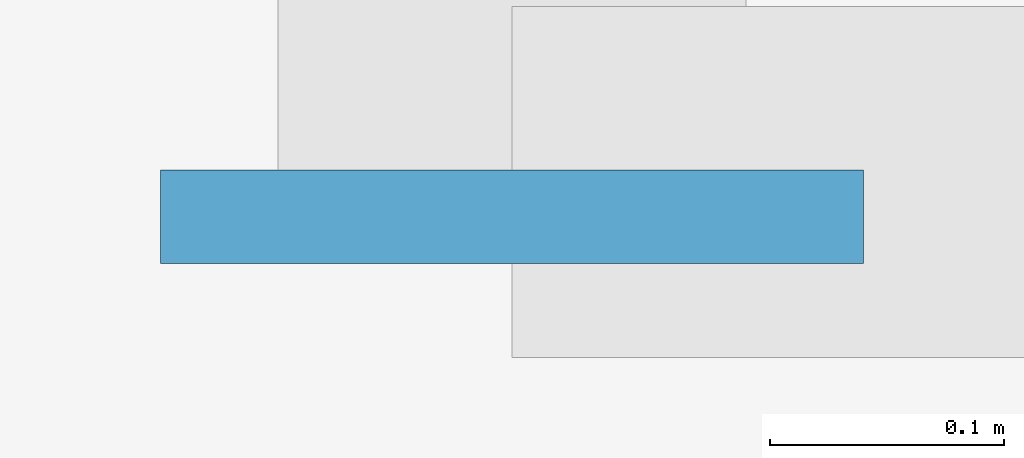
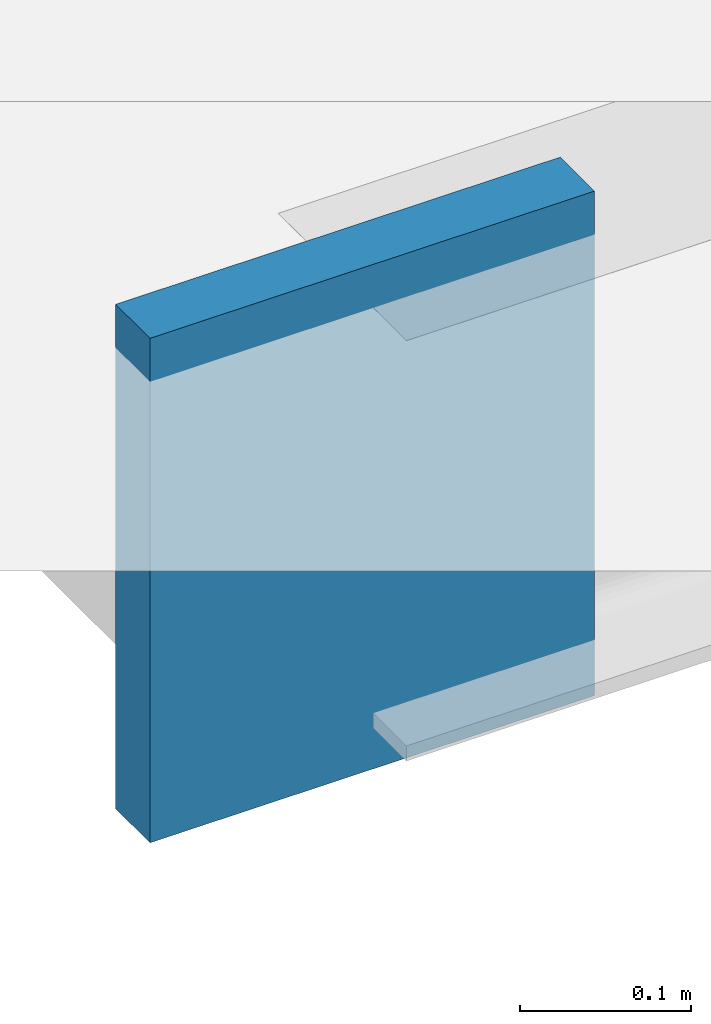
# One storey, part 19 of 28: 1 plate.
"""IFC4 building model written with IfcOpenShell, lengths in metres."""

import ifcopenshell
import ifcopenshell.guid

model = None  # the IFC model being written
_history = None  # IfcOwnerHistory: only IFC2X3 demands one
_inside = {}  # id of a spatial element -> (the spatial element, [elements in it])
_under = {}  # id of a project, library or spatial element -> (it, [spatial elements below it])
_declared = {}  # id of a project -> (the project, [libraries it declares])
_typed = {}  # id of a type object -> (the type object, [elements of that type])
_made_of = {}  # id of a material, layer set ... -> (it, [elements and type objects made of it])


def new_model(schema):
    """Start an empty IFC model of exactly this schema.

    Asked for "IFC4X3", IfcOpenShell would pick the latest addendum, in which some entities
    have other attributes; the version numbers below select the first issue.
    IFC2X3 requires an IfcOwnerHistory on every rooted entity: one is made here for all.
    """
    global model, _history
    if schema == "IFC4X3":
        model = ifcopenshell.file(schema_version=(4, 3, 0, 0))
    else:
        model = ifcopenshell.file(schema=schema)
    _inside.clear()
    _under.clear()
    _declared.clear()
    _typed.clear()
    _made_of.clear()
    _history = None
    if model.schema == "IFC2X3":
        org = make("IfcOrganization", Name="unknown")
        user = make(
            "IfcPersonAndOrganization",
            ThePerson=make("IfcPerson", FamilyName="unknown"),
            TheOrganization=org,
        )
        app = make(
            "IfcApplication",
            ApplicationDeveloper=org,
            Version="unknown",
            ApplicationFullName="unknown",
            ApplicationIdentifier="unknown",
        )
        _history = make(
            "IfcOwnerHistory",
            OwningUser=user,
            OwningApplication=app,
            ChangeAction="ADDED",
            CreationDate=0,
        )
    return model


def make(cls, **values):
    """One entity of the class cls with the attributes given. An attribute that is None is left unset."""
    return model.create_entity(
        cls, **{name: value for name, value in values.items() if value is not None}
    )


def rooted(cls, **values):
    """An entity with a GlobalId (a new one), such as an element, a storey or a relation."""
    return make(cls, GlobalId=ifcopenshell.guid.new(), OwnerHistory=_history, **values)


def si_unit(unit_type, name, prefix=None):
    """IfcSIUnit, for example si_unit("LENGTHUNIT", "METRE", prefix="MILLI")."""
    return make("IfcSIUnit", UnitType=unit_type, Prefix=prefix, Name=name)


def assignment(units):
    """IfcUnitAssignment: the units of a project."""
    return None if units is None else make("IfcUnitAssignment", Units=units)


def point(xyz):
    """IfcCartesianPoint."""
    return None if xyz is None else make("IfcCartesianPoint", Coordinates=xyz)


def direction(xyz):
    """IfcDirection."""
    return None if xyz is None else make("IfcDirection", DirectionRatios=xyz)


def frame(location, z_axis=None, x_axis=None):
    """IfcAxis2Placement3D, a coordinate frame: its origin and axes. An axis left out is left unset."""
    return make(
        "IfcAxis2Placement3D",
        Location=point(location),
        Axis=direction(z_axis),
        RefDirection=direction(x_axis),
    )


def frame_2d(location, x_axis=None):
    """IfcAxis2Placement2D, a coordinate frame in the plane: its origin and x axis."""
    return make(
        "IfcAxis2Placement2D", Location=point(location), RefDirection=direction(x_axis)
    )


def origin():
    """The frame at (0, 0, 0) with its axes left unset."""
    return frame((0.0, 0.0, 0.0))


def origin_2d():
    """The frame at (0, 0) in the plane with its x axis left unset."""
    return frame_2d((0.0, 0.0))


def place(relative_to, where):
    """IfcLocalPlacement: puts the frame where relative to a parent placement (None: the world)."""
    return make(
        "IfcLocalPlacement", PlacementRelTo=relative_to, RelativePlacement=where
    )


def context(
    kind, dimensions, precision=None, world=None, true_north=None, identifier=None
):
    """IfcGeometricRepresentationContext, for example the 3D "Model" context."""
    return make(
        "IfcGeometricRepresentationContext",
        ContextIdentifier=identifier,
        ContextType=kind,
        CoordinateSpaceDimension=dimensions,
        Precision=precision,
        WorldCoordinateSystem=world,
        TrueNorth=true_north,
    )


def subcontext(parent, identifier, kind, view, scale=None):
    """IfcGeometricRepresentationSubContext, for example "Body" below "Model"."""
    return make(
        "IfcGeometricRepresentationSubContext",
        ContextIdentifier=identifier,
        ContextType=kind,
        ParentContext=parent,
        TargetScale=scale,
        TargetView=view,
    )


def project(units=None, contexts=None):
    """IfcProject with its units and contexts."""
    return rooted(
        "IfcProject",
        Name="project",
        RepresentationContexts=contexts,
        UnitsInContext=assignment(units),
    )


def spatial(cls, under=None, at=None, **own):
    """A site, building, storey or space (cls), placed at a placement, below another one or the project."""
    s = rooted(cls, ObjectPlacement=at, **own)
    if under is not None:
        _under.setdefault(under.id(), (under, []))[1].append(s)
    return s


def profile(cls, at=None, kind="AREA", **sizes):
    """A parametric profile (cls). Its sizes go by their IFC names, for example OverallWidth=200.0."""
    return make(cls, ProfileType=kind, Position=at, **sizes)


def rectangle(**sizes):
    """IfcRectangleProfileDef."""
    return profile("IfcRectangleProfileDef", **sizes)


def extrude(swept, where, along, depth):
    """IfcExtrudedAreaSolid: the profile swept, set in the frame where, extruded along a direction by depth."""
    return make(
        "IfcExtrudedAreaSolid",
        SweptArea=swept,
        Position=where,
        ExtrudedDirection=direction(along),
        Depth=depth,
    )


def shape(context_of_items, identifier, shape_type, items):
    """IfcShapeRepresentation: the items that make up one representation, for example the "Body"."""
    return make(
        "IfcShapeRepresentation",
        ContextOfItems=context_of_items,
        RepresentationIdentifier=identifier,
        RepresentationType=shape_type,
        Items=items,
    )


def material(Name=None, Category=None):
    """IfcMaterial."""
    return make("IfcMaterial", Name=Name, Category=Category)


def layer(
    of_material, thickness, ventilated=None, Name=None, Category=None, Priority=None
):
    """IfcMaterialLayer: one layer of a wall or slab, of a material (None: an air gap)."""
    return make(
        "IfcMaterialLayer",
        Material=of_material,
        LayerThickness=thickness,
        IsVentilated=ventilated,
        Name=Name,
        Category=Category,
        Priority=Priority,
    )


def layer_set(layers, Name=None):
    """IfcMaterialLayerSet."""
    return make("IfcMaterialLayerSet", MaterialLayers=layers, LayerSetName=Name)


def made_of(thing, what):
    """Note that an element or type object is made of a material, layer set ...; save() writes the relation."""
    if what is not None:
        _made_of.setdefault(what.id(), (what, []))[1].append(thing)
    return thing


def type_object(cls, material=None, **own):
    """A type object (cls), such as IfcWallType, which elements share."""
    return made_of(rooted(cls, **own), material)


def element(
    cls,
    number,
    at=None,
    inside=None,
    cuts=None,
    type_object=None,
    material=None,
    context=None,
    identifier="Body",
    shape_type=None,
    held_by="IfcProductDefinitionShape",
    body=None,
    shapes=None,
    **own,
):
    """One element of the class cls, such as IfcWall. Its Tag is "e" and its number.

    at: its placement. inside: the storey or other place that contains it. cuts: it is an
    opening in that element (IfcRelVoidsElement). A single representation is given by context,
    identifier, shape_type and body (its items); several are given by shapes. held_by: the class
    of the entity that holds the representations. save() writes the other relations.
    """
    e = rooted(cls, Tag="e%d" % number, ObjectPlacement=at, **own)
    if body is not None:
        shapes = [shape(context, identifier, shape_type, body)]
    if shapes is not None:
        e.Representation = make(held_by, Representations=shapes)
    if inside is not None:
        _inside.setdefault(inside.id(), (inside, []))[1].append(e)
    if cuts is not None:
        rooted(
            "IfcRelVoidsElement", RelatingBuildingElement=cuts, RelatedOpeningElement=e
        )
    if type_object is not None:
        _typed.setdefault(type_object.id(), (type_object, []))[1].append(e)
    return made_of(e, material)


def aggregate(whole, parts):
    """IfcRelAggregates: a whole, such as a stair, and the parts it consists of."""
    return rooted("IfcRelAggregates", RelatingObject=whole, RelatedObjects=parts)


def save(model, path):
    """Write the relations noted so far, then the file.

    IfcRelAggregates (storeys below a building ...), IfcRelContainedInSpatialStructure (elements
    in a storey), IfcRelDefinesByType, IfcRelAssociatesMaterial and IfcRelDeclares: one each for
    every whole, place, type object, material and project.
    """
    for whole, parts in _under.values():
        aggregate(whole, parts)
    for where, things in _inside.values():
        rooted(
            "IfcRelContainedInSpatialStructure",
            RelatedElements=things,
            RelatingStructure=where,
        )
    for kind, things in _typed.values():
        rooted("IfcRelDefinesByType", RelatedObjects=things, RelatingType=kind)
    for what, things in _made_of.values():
        rooted("IfcRelAssociatesMaterial", RelatedObjects=things, RelatingMaterial=what)
    for by, libraries in _declared.values():
        rooted("IfcRelDeclares", RelatingContext=by, RelatedDefinitions=libraries)
    model.write(path)


model = new_model("IFC4")

# Units and contexts
model_context = context("Model", 3, precision=1e-05, world=origin(), true_north=direction((0.0, 1.0)))
body_context = subcontext(model_context, "Body", "Model", "MODEL_VIEW")
ifc_project = project(units=[si_unit("LENGTHUNIT", "METRE"), si_unit("AREAUNIT", "SQUARE_METRE"), si_unit("VOLUMEUNIT", "CUBIC_METRE"), si_unit("PLANEANGLEUNIT", "RADIAN"), si_unit("MASSUNIT", "GRAM", prefix="KILO"), si_unit("THERMODYNAMICTEMPERATUREUNIT", "KELVIN"), si_unit("POWERUNIT", "WATT")], contexts=[model_context])

# Site, building, storey
site_placement = place(None, origin())
site = spatial("IfcSite", under=ifc_project, at=site_placement, CompositionType="ELEMENT")
building_placement = place(site_placement, origin())
building = spatial("IfcBuilding", under=site, at=building_placement, Name="Svarakhadi Broadcast Tower", CompositionType="ELEMENT")
storey_placement = place(building_placement, frame((0.0, 0.0, 138.14990234375)))
storey = spatial("IfcBuildingStorey", under=building, at=storey_placement, Name="L33", CompositionType="ELEMENT", Elevation=138.14990234375)

# Plate
ifc_material = material(Name="Steel S460ML (IS 2062 E450BR)", Category="steel")
ifc_layer = layer(ifc_material, 0.028076171875)
ifc_layer_set = layer_set([ifc_layer], Name="Steel S460ML (IS 2062 E450BR)")
plate_type = type_object("IfcPlateType", Name="Cap_Plate_CP02", PredefinedType="USERDEFINED", material=ifc_layer_set)
plate_placement = place(storey_placement, frame((-1.800048828125, 29.135009765625, -0.55517578125), z_axis=(0.0, 0.0, 1.0), x_axis=(1.0, 0.0, 0.0)))
element("IfcPlate", 1, at=plate_placement, inside=storey, type_object=plate_type, Name="L33 Balcony Spandrel End Cap Plate 2F-A", ObjectType="FLANGE_PLATE", PredefinedType="USERDEFINED", context=body_context, shape_type="SweptSolid", body=[
    extrude(rectangle(XDim=0.300048828125, YDim=0.0400390625, at=origin_2d()), origin(), (0.0, 0.0, 1.0), 0.360107421875),
])

save(model, "model.ifc")
